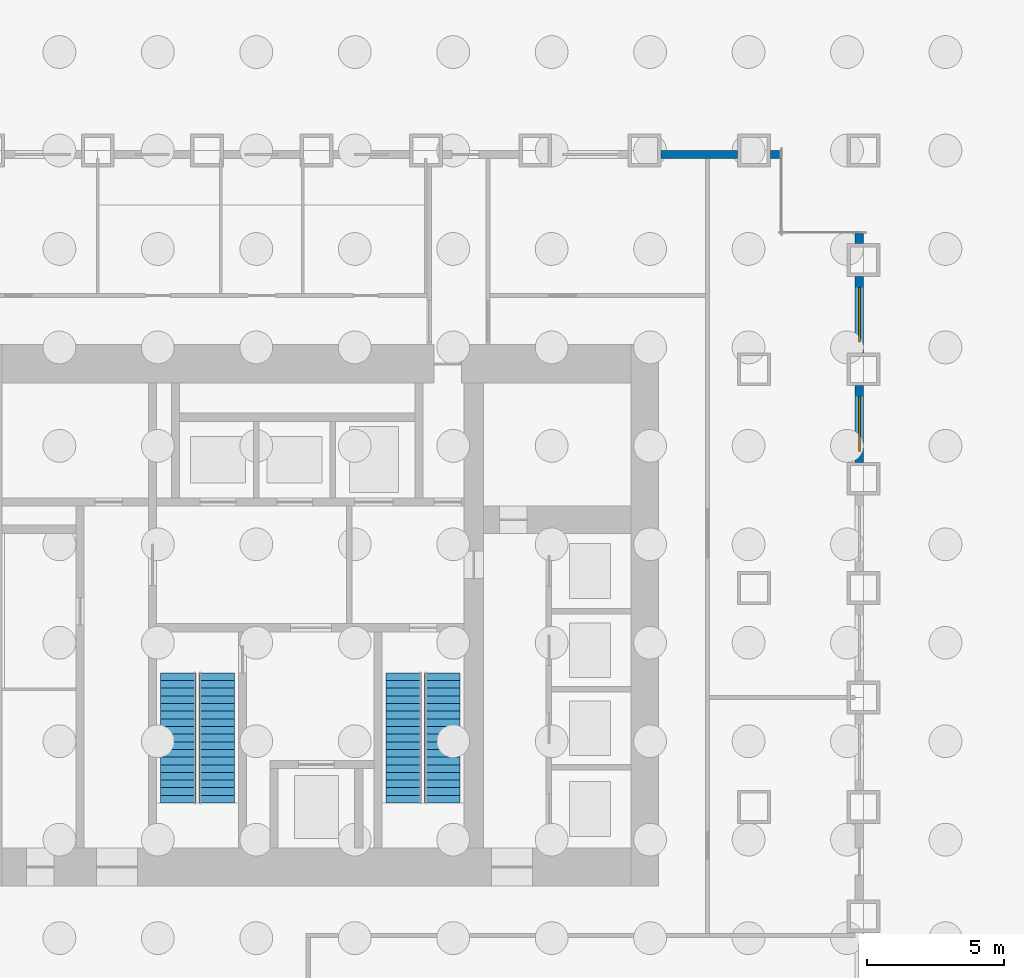
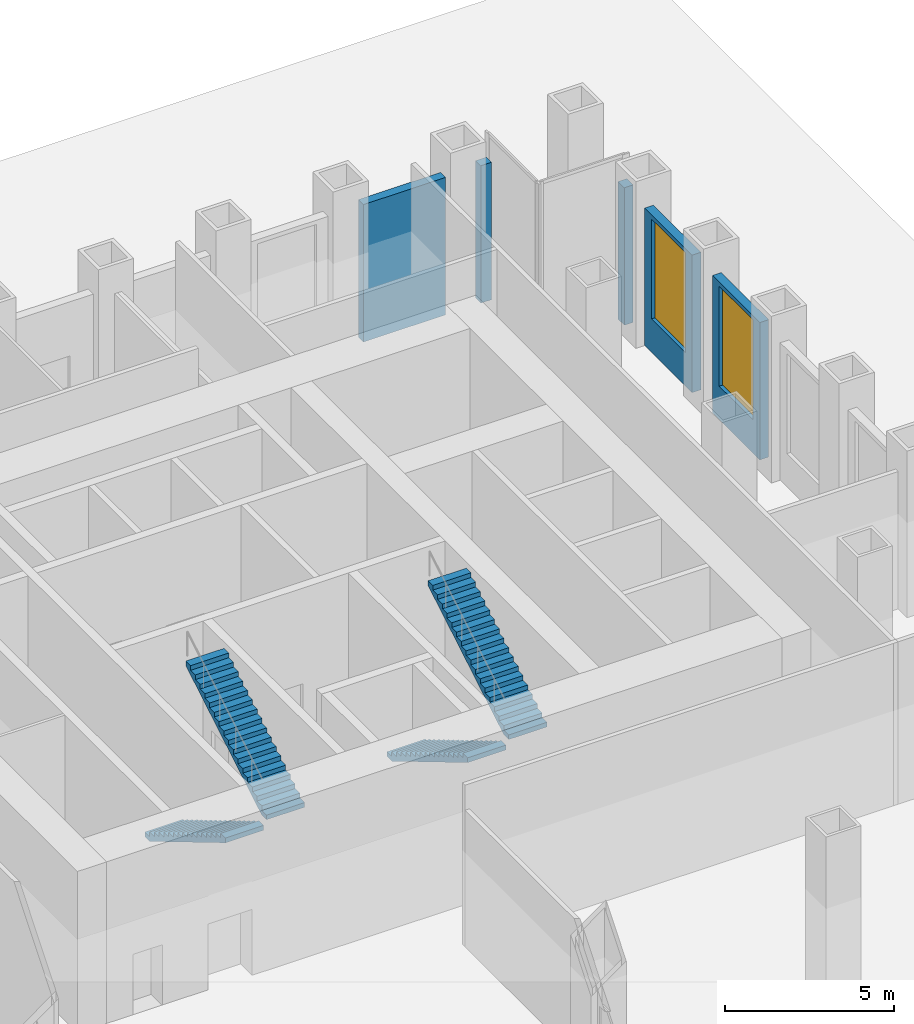
# One storey, part 15 of 17: 5 walls, 4 stair flights, 2 windows, 2 openings, 2 elements without a shape of their own.
"""IFC4 building model written with IfcOpenShell, lengths in metres."""

from ifc_helpers import new_model, si_unit, direction, frame, frame_2d, origin, place, context, subcontext, project, spatial, polyline, rectangle, outline, extrude, material, layer, layer_set, type_object, element, fill, aggregate, save


model = new_model("IFC4")

# Units and contexts
model_context = context("Model", 3, precision=1e-05, world=origin(), true_north=direction((0.0, 1.0)))
body_context = subcontext(model_context, "Body", "Model", "MODEL_VIEW")
ifc_project = project(units=[si_unit("LENGTHUNIT", "METRE"), si_unit("AREAUNIT", "SQUARE_METRE"), si_unit("VOLUMEUNIT", "CUBIC_METRE"), si_unit("PLANEANGLEUNIT", "RADIAN"), si_unit("MASSUNIT", "GRAM", prefix="KILO")], contexts=[model_context])

# Site, building, storey
site_placement = place(None, origin())
site = spatial("IfcSite", under=ifc_project, at=site_placement, CompositionType="ELEMENT")
building_placement = place(site_placement, origin())
building = spatial("IfcBuilding", under=site, at=building_placement, Name="Rimbunsela Tower", CompositionType="ELEMENT")
storey_placement = place(building_placement, origin())
storey = spatial("IfcBuildingStorey", under=building, at=storey_placement, Name="L00", CompositionType="ELEMENT", Elevation=0.0)

# Wall, opening, window
ifc_material_1 = material(Name="Precast concrete fc' 35 MPa", Category="concrete")
ifc_layer = layer(ifc_material_1, 0.300048828125)
ifc_layer_set = layer_set([ifc_layer], Name="Precast concrete fc' 35 MPa")
wall_type = type_object("IfcWallType", Name="Precast facade panel 300", PredefinedType="ELEMENTEDWALL", material=ifc_layer_set)
wall_1_placement = place(storey_placement, frame((49.85009765625, 32.60009765625, 0.0), z_axis=(0.0, 0.0, 1.0), x_axis=(0.0, 1.0, 0.0)))
wall_1 = element("IfcWall", 1, at=wall_1_placement, inside=storey, type_object=wall_type, Name="Facade panel E L00", PredefinedType="ELEMENTEDWALL", context=body_context, shape_type="SweptSolid", body=[
    extrude(rectangle(XDim=2.7998046875, YDim=0.300048828125, at=frame_2d((1.39990234375, 0.0))), origin(), (0.0, 0.0, 1.0), 4.949951171875),
])
opening_1_placement = place(wall_1_placement, frame((0.39990234375, 0.0, 1.199951171875)))
opening_1 = element("IfcOpeningElement", 2, at=opening_1_placement, cuts=wall_1, Name="Opening W2", PredefinedType="OPENING", context=body_context, shape_type="SweptSolid", body=[
    extrude(rectangle(XDim=2.0, YDim=3.60009765625, at=frame_2d((1.0, 1.800048828125))), frame((0.0, 0.159912109375, 0.0), z_axis=(0.0, -1.0, 0.0), x_axis=(1.0, 0.0, 0.0)), (0.0, 0.0, 1.0), 0.320068359375),
])
ifc_material_2 = material(Name="Clear glass in aluminium frame", Category="aluminium")
window_type = type_object("IfcWindowType", Name="Window W2 2000x3600", PartitioningType="SINGLE_PANEL", PredefinedType="WINDOW", material=ifc_material_2)
window_1_placement = place(opening_1_placement, origin())
window_1 = element("IfcWindow", 3, at=window_1_placement, inside=storey, type_object=window_type, Name="Window L00", OverallHeight=3.60009765625, OverallWidth=2.0, PartitioningType="SINGLE_PANEL", PredefinedType="WINDOW", context=body_context, shape_type="SweptSolid", body=[
    extrude(rectangle(XDim=2.0, YDim=3.60009765625, at=frame_2d((1.0, 1.800048828125))), frame((0.0, 0.030029296875, 0.0), z_axis=(0.0, -1.0, 0.0), x_axis=(1.0, 0.0, 0.0)), (0.0, 0.0, 1.0), 0.06005859375),
])
fill(opening_1, window_1)

wall_2_placement = place(storey_placement, frame((49.85009765625, 36.60009765625, 0.0), z_axis=(0.0, 0.0, 1.0), x_axis=(0.0, 1.0, 0.0)))
wall_2 = element("IfcWall", 4, at=wall_2_placement, inside=storey, type_object=wall_type, Name="Facade panel E L00", PredefinedType="ELEMENTEDWALL", context=body_context, shape_type="SweptSolid", body=[
    extrude(rectangle(XDim=2.7998046875, YDim=0.300048828125, at=frame_2d((1.39990234375, 0.0))), origin(), (0.0, 0.0, 1.0), 4.949951171875),
])
opening_2_placement = place(wall_2_placement, frame((0.39990234375, 0.0, 1.199951171875)))
opening_2 = element("IfcOpeningElement", 5, at=opening_2_placement, cuts=wall_2, Name="Opening W2", PredefinedType="OPENING", context=body_context, shape_type="SweptSolid", body=[
    extrude(rectangle(XDim=2.0, YDim=3.60009765625, at=frame_2d((1.0, 1.800048828125))), frame((0.0, 0.159912109375, 0.0), z_axis=(0.0, -1.0, 0.0), x_axis=(1.0, 0.0, 0.0)), (0.0, 0.0, 1.0), 0.320068359375),
])
window_2_placement = place(opening_2_placement, origin())
window_2 = element("IfcWindow", 6, at=window_2_placement, inside=storey, type_object=window_type, Name="Window L00", OverallHeight=3.60009765625, OverallWidth=2.0, PartitioningType="SINGLE_PANEL", PredefinedType="WINDOW", context=body_context, shape_type="SweptSolid", body=[
    extrude(rectangle(XDim=2.0, YDim=3.60009765625, at=frame_2d((1.0, 1.800048828125))), frame((0.0, 0.030029296875, 0.0), z_axis=(0.0, -1.0, 0.0), x_axis=(1.0, 0.0, 0.0)), (0.0, 0.0, 1.0), 0.06005859375),
])
fill(opening_2, window_2)

# Walls
wall_3_placement = place(storey_placement, frame((49.85009765625, 40.60009765625, 0.0), z_axis=(0.0, 0.0, 1.0), x_axis=(0.0, 1.0, 0.0)))
element("IfcWall", 7, at=wall_3_placement, inside=storey, type_object=wall_type, Name="Facade panel E L00", PredefinedType="ELEMENTEDWALL", context=body_context, shape_type="SweptSolid", body=[
    extrude(rectangle(XDim=0.369873046875, YDim=0.300048828125, at=frame_2d((0.18505859375, 0.0))), origin(), (0.0, 0.0, 1.0), 4.949951171875),
])
wall_4_placement = place(storey_placement, frame((45.39990234375, 43.85009765625, 0.0), z_axis=(0.0, 0.0, 1.0), x_axis=(-1.0, 0.0, 0.0)))
element("IfcWall", 8, at=wall_4_placement, inside=storey, type_object=wall_type, Name="Facade panel N L00", PredefinedType="ELEMENTEDWALL", context=body_context, shape_type="SweptSolid", body=[
    extrude(rectangle(XDim=2.7998046875, YDim=0.300048828125, at=frame_2d((1.39990234375, 0.0))), origin(), (0.0, 0.0, 1.0), 4.949951171875),
])
wall_5_placement = place(storey_placement, frame((46.969970703125, 43.85009765625, 0.0), z_axis=(0.0, 0.0, 1.0), x_axis=(-1.0, 0.0, 0.0)))
element("IfcWall", 9, at=wall_5_placement, inside=storey, type_object=wall_type, Name="Facade panel N L00", PredefinedType="ELEMENTEDWALL", context=body_context, shape_type="SweptSolid", body=[
    extrude(rectangle(XDim=0.369873046875, YDim=0.300048828125, at=frame_2d((0.18505859375, 0.0))), origin(), (0.0, 0.0, 1.0), 4.949951171875),
])

# Stair, stair flights
ifc_material_3 = material(Name="Concrete fc' 35 MPa", Category="concrete")
stair_type = type_object("IfcStairType", Name="Exit stair 36 risers", PredefinedType="HALF_TURN_STAIR", material=ifc_material_3)
stair_1_placement = place(storey_placement, origin())
stair_1 = element("IfcStair", 10, at=stair_1_placement, inside=storey, type_object=stair_type, Name="Exit stair A L00", PredefinedType="HALF_TURN_STAIR")
ifc_material_4 = material(Name="Concrete fc' 35 MPa", Category="concrete")
stair_flight_type = type_object("IfcStairFlightType", Name="Stair flight 18 risers 167", PredefinedType="STRAIGHT", material=ifc_material_4)
stair_flight_1_placement = place(storey_placement, frame((24.949951171875, 24.89990234375, 0.0), z_axis=(0.0, 0.0, 1.0), x_axis=(0.0, -1.0, 0.0)))
stair_flight_1 = element("IfcStairFlight", 11, at=stair_flight_1_placement, type_object=stair_flight_type, Name="ST-A flight 1", NumberOfRisers=18, NumberOfTreads=17, PredefinedType="STRAIGHT", RiserHeight=0.166666667, TreadLength=0.28, context=body_context, shape_type="SweptSolid", body=[
    extrude(outline(polyline([(0.0, 0.0), (0.0, 0.166748046875), (0.280029296875, 0.166748046875), (0.280029296875, 0.333251953125), (0.56005859375, 0.333251953125), (0.56005859375, 0.5), (0.840087890625, 0.5), (0.840087890625, 0.666748046875), (1.1201171875, 0.666748046875), (1.1201171875, 0.833251953125), (1.39990234375, 0.833251953125), (1.39990234375, 1.0), (1.679931640625, 1.0), (1.679931640625, 1.166748046875), (1.9599609375, 1.166748046875), (1.9599609375, 1.333251953125), (2.239990234375, 1.333251953125), (2.239990234375, 1.5), (2.52001953125, 1.5), (2.52001953125, 1.666748046875), (2.800048828125, 1.666748046875), (2.800048828125, 1.833251953125), (3.080078125, 1.833251953125), (3.080078125, 2.0), (3.360107421875, 2.0), (3.360107421875, 2.166748046875), (3.639892578125, 2.166748046875), (3.639892578125, 2.333251953125), (3.919921875, 2.333251953125), (3.919921875, 2.5), (4.199951171875, 2.5), (4.199951171875, 2.666748046875), (4.47998046875, 2.666748046875), (4.47998046875, 2.833251953125), (4.760009765625, 2.833251953125), (4.760009765625, 3.0), (4.760009765625, 2.658935546875), (0.29296875, 0.0), (0.0, 0.0)])), frame((0.0, 0.64990234375, 0.0), z_axis=(0.0, -1.0, 0.0), x_axis=(1.0, 0.0, 0.0)), (0.0, 0.0, 1.0), 1.300048828125),
])
stair_flight_2_placement = place(storey_placement, frame((26.35009765625, 20.139892578125, 3.0), z_axis=(0.0, 0.0, 1.0), x_axis=(0.0, 1.0, 0.0)))
stair_flight_2 = element("IfcStairFlight", 12, at=stair_flight_2_placement, type_object=stair_flight_type, Name="ST-A flight 2", NumberOfRisers=18, NumberOfTreads=17, PredefinedType="STRAIGHT", RiserHeight=0.166666667, TreadLength=0.28, context=body_context, shape_type="SweptSolid", body=[
    extrude(outline(polyline([(0.0, 0.0), (0.0, 0.166748046875), (0.280029296875, 0.166748046875), (0.280029296875, 0.333251953125), (0.56005859375, 0.333251953125), (0.56005859375, 0.5), (0.840087890625, 0.5), (0.840087890625, 0.666748046875), (1.1201171875, 0.666748046875), (1.1201171875, 0.833251953125), (1.39990234375, 0.833251953125), (1.39990234375, 1.0), (1.679931640625, 1.0), (1.679931640625, 1.166748046875), (1.9599609375, 1.166748046875), (1.9599609375, 1.333251953125), (2.239990234375, 1.333251953125), (2.239990234375, 1.5), (2.52001953125, 1.5), (2.52001953125, 1.666748046875), (2.800048828125, 1.666748046875), (2.800048828125, 1.833251953125), (3.080078125, 1.833251953125), (3.080078125, 2.0), (3.360107421875, 2.0), (3.360107421875, 2.166748046875), (3.639892578125, 2.166748046875), (3.639892578125, 2.333251953125), (3.919921875, 2.333251953125), (3.919921875, 2.5), (4.199951171875, 2.5), (4.199951171875, 2.666748046875), (4.47998046875, 2.666748046875), (4.47998046875, 2.833251953125), (4.760009765625, 2.833251953125), (4.760009765625, 3.0), (4.760009765625, 2.658935546875), (0.29296875, 0.0), (0.0, 0.0)])), frame((0.0, 0.64990234375, 0.0), z_axis=(0.0, -1.0, 0.0), x_axis=(1.0, 0.0, 0.0)), (0.0, 0.0, 1.0), 1.300048828125),
])
aggregate(stair_1, [stair_flight_1, stair_flight_2])

stair_2_placement = place(storey_placement, origin())
stair_2 = element("IfcStair", 13, at=stair_2_placement, inside=storey, type_object=stair_type, Name="Exit stair B L00", PredefinedType="HALF_TURN_STAIR")
stair_flight_3_placement = place(storey_placement, frame((33.199951171875, 24.89990234375, 0.0), z_axis=(0.0, 0.0, 1.0), x_axis=(0.0, -1.0, 0.0)))
stair_flight_3 = element("IfcStairFlight", 14, at=stair_flight_3_placement, type_object=stair_flight_type, Name="ST-B flight 1", NumberOfRisers=18, NumberOfTreads=17, PredefinedType="STRAIGHT", RiserHeight=0.166666667, TreadLength=0.28, context=body_context, shape_type="SweptSolid", body=[
    extrude(outline(polyline([(0.0, 0.0), (0.0, 0.166748046875), (0.280029296875, 0.166748046875), (0.280029296875, 0.333251953125), (0.56005859375, 0.333251953125), (0.56005859375, 0.5), (0.840087890625, 0.5), (0.840087890625, 0.666748046875), (1.1201171875, 0.666748046875), (1.1201171875, 0.833251953125), (1.39990234375, 0.833251953125), (1.39990234375, 1.0), (1.679931640625, 1.0), (1.679931640625, 1.166748046875), (1.9599609375, 1.166748046875), (1.9599609375, 1.333251953125), (2.239990234375, 1.333251953125), (2.239990234375, 1.5), (2.52001953125, 1.5), (2.52001953125, 1.666748046875), (2.800048828125, 1.666748046875), (2.800048828125, 1.833251953125), (3.080078125, 1.833251953125), (3.080078125, 2.0), (3.360107421875, 2.0), (3.360107421875, 2.166748046875), (3.639892578125, 2.166748046875), (3.639892578125, 2.333251953125), (3.919921875, 2.333251953125), (3.919921875, 2.5), (4.199951171875, 2.5), (4.199951171875, 2.666748046875), (4.47998046875, 2.666748046875), (4.47998046875, 2.833251953125), (4.760009765625, 2.833251953125), (4.760009765625, 3.0), (4.760009765625, 2.658935546875), (0.29296875, 0.0), (0.0, 0.0)])), frame((0.0, 0.64990234375, 0.0), z_axis=(0.0, -1.0, 0.0), x_axis=(1.0, 0.0, 0.0)), (0.0, 0.0, 1.0), 1.300048828125),
])
stair_flight_4_placement = place(storey_placement, frame((34.60009765625, 20.139892578125, 3.0), z_axis=(0.0, 0.0, 1.0), x_axis=(0.0, 1.0, 0.0)))
stair_flight_4 = element("IfcStairFlight", 15, at=stair_flight_4_placement, type_object=stair_flight_type, Name="ST-B flight 2", NumberOfRisers=18, NumberOfTreads=17, PredefinedType="STRAIGHT", RiserHeight=0.166666667, TreadLength=0.28, context=body_context, shape_type="SweptSolid", body=[
    extrude(outline(polyline([(0.0, 0.0), (0.0, 0.166748046875), (0.280029296875, 0.166748046875), (0.280029296875, 0.333251953125), (0.56005859375, 0.333251953125), (0.56005859375, 0.5), (0.840087890625, 0.5), (0.840087890625, 0.666748046875), (1.1201171875, 0.666748046875), (1.1201171875, 0.833251953125), (1.39990234375, 0.833251953125), (1.39990234375, 1.0), (1.679931640625, 1.0), (1.679931640625, 1.166748046875), (1.9599609375, 1.166748046875), (1.9599609375, 1.333251953125), (2.239990234375, 1.333251953125), (2.239990234375, 1.5), (2.52001953125, 1.5), (2.52001953125, 1.666748046875), (2.800048828125, 1.666748046875), (2.800048828125, 1.833251953125), (3.080078125, 1.833251953125), (3.080078125, 2.0), (3.360107421875, 2.0), (3.360107421875, 2.166748046875), (3.639892578125, 2.166748046875), (3.639892578125, 2.333251953125), (3.919921875, 2.333251953125), (3.919921875, 2.5), (4.199951171875, 2.5), (4.199951171875, 2.666748046875), (4.47998046875, 2.666748046875), (4.47998046875, 2.833251953125), (4.760009765625, 2.833251953125), (4.760009765625, 3.0), (4.760009765625, 2.658935546875), (0.29296875, 0.0), (0.0, 0.0)])), frame((0.0, 0.64990234375, 0.0), z_axis=(0.0, -1.0, 0.0), x_axis=(1.0, 0.0, 0.0)), (0.0, 0.0, 1.0), 1.300048828125),
])
aggregate(stair_2, [stair_flight_3, stair_flight_4])

save(model, "model.ifc")
